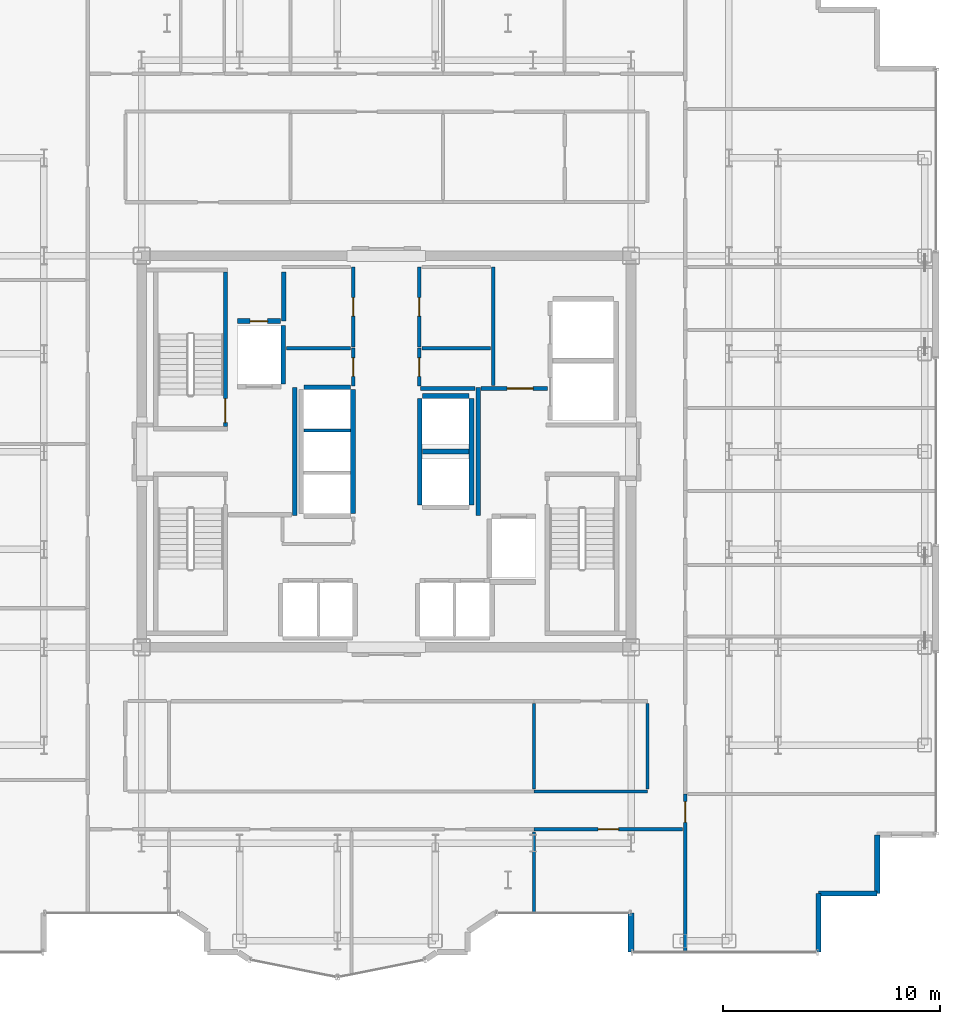
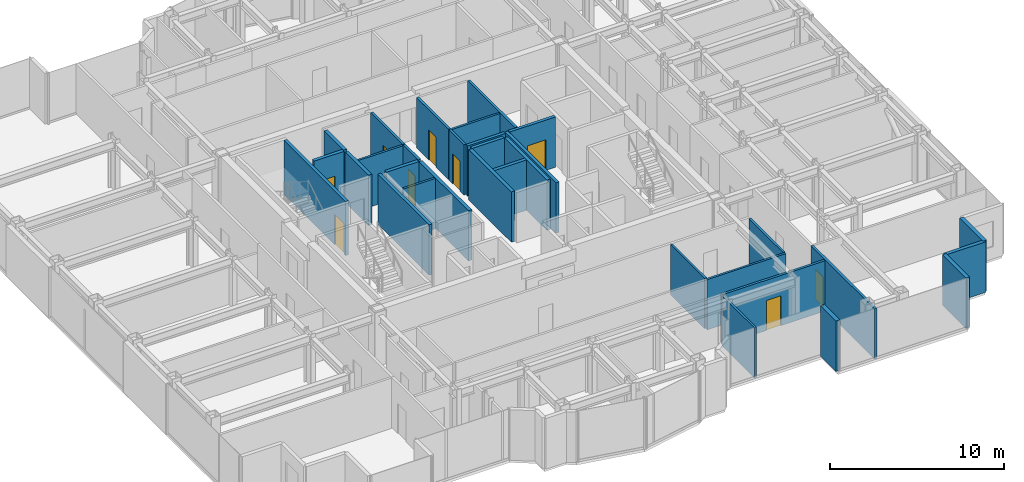
# One storey, part 17 of 21: 32 walls, 9 doors, 9 openings.
"""IFC4 building model written with IfcOpenShell, lengths in metres."""

from ifc_helpers import new_model, si_unit, direction, frame, frame_2d, origin, place, context, subcontext, project, spatial, rectangle, extrude, source, transform, mapped, material, layer, layer_set, type_object, element, fill, save


model = new_model("IFC4")

# Units and contexts
model_context = context("Model", 3, precision=1e-05, world=origin(), true_north=direction((0.0, 1.0)))
body_context = subcontext(model_context, "Body", "Model", "MODEL_VIEW")
ifc_project = project(units=[si_unit("LENGTHUNIT", "METRE"), si_unit("AREAUNIT", "SQUARE_METRE"), si_unit("VOLUMEUNIT", "CUBIC_METRE"), si_unit("PLANEANGLEUNIT", "RADIAN"), si_unit("MASSUNIT", "GRAM", prefix="KILO")], contexts=[model_context])

# Site, building, storey
site_placement = place(None, origin())
site = spatial("IfcSite", under=ifc_project, at=site_placement, CompositionType="ELEMENT")
building_placement = place(site_placement, origin())
building = spatial("IfcBuilding", under=site, at=building_placement, Name="Nefas-Gora Pilgrimage Tower", CompositionType="ELEMENT")
storey_placement = place(building_placement, frame((0.0, 0.0, 252.199951171875)))
storey = spatial("IfcBuildingStorey", under=building, at=storey_placement, Name="L63", CompositionType="ELEMENT", Elevation=252.199951171875)

# Walls
ifc_material_1 = material(Name="Precast concrete C40/50", Category="concrete")
ifc_layer_1 = layer(ifc_material_1, 0.260009765625)
ifc_layer_set_1 = layer_set([ifc_layer_1], Name="Precast concrete C40/50")
wall_type_1 = type_object("IfcWallType", Name="EW-PORTAL-260", PredefinedType="SOLIDWALL", material=ifc_layer_set_1)
shared_shape_1 = source(origin(), body_context, "Body", "SweptSolid", [
    extrude(rectangle(XDim=1.800048828125, YDim=0.260009765625, at=frame_2d((0.89990234375, 0.0))), origin(), (0.0, 0.0, 1.0), 3.550048828125),
])
wall_1_placement = place(storey_placement, frame((11.25, -21.219970703125, 0.0), z_axis=(0.0, 0.0, 1.0), x_axis=(0.0, -1.0, 0.0)))
element("IfcWall", 1, at=wall_1_placement, inside=storey, type_object=wall_type_1, Name="L63 Lobe Shoulder Precast Spandrel Pier 5", PredefinedType="SOLIDWALL", context=body_context, shape_type="MappedRepresentation", body=[
    mapped(shared_shape_1, transform((0.0, 0.0, 0.0), x_axis=(1.0, 0.0, 0.0), y_axis=(0.0, 1.0, 0.0), z_axis=(0.0, 0.0, 1.0), scale=1.0)),
])
ifc_material_2 = material(Name="Precast concrete C45/55", Category="concrete")
ifc_layer_2 = layer(ifc_material_2, 0.239990234375)
ifc_layer_set_2 = layer_set([ifc_layer_2], Name="Precast concrete C45/55")
wall_type_2 = type_object("IfcWallType", Name="EW-SERR-240", PredefinedType="SHEAR", material=ifc_layer_set_2)
shared_shape_2 = source(origin(), body_context, "Body", "SweptSolid", [
    extrude(rectangle(XDim=2.699951171875, YDim=0.239990234375, at=frame_2d((1.35009765625, 0.0))), origin(), (0.0, 0.0, 1.0), 3.550048828125),
])
for number, where, z_axis, x_axis, name in (
    (2, (19.8701171875, -23.02001953125, 0.0), (0.0, 0.0, 1.0), (0.0, 1.0, 0.0), "L63 Serrated Corner Shear Pier Wall 6"),
    (3, (19.8701171875, -20.320068359375, 0.0), (0.0, 0.0, 1.0), (1.0, 0.0, 0.0), "L63 Serrated Corner Shear Pier Wall 7"),
    (4, (22.570068359375, -20.320068359375, 0.0), (0.0, 0.0, 1.0), (0.0, 1.0, 0.0), "L63 Serrated Corner Shear Pier Wall 8"),
):
    element("IfcWall", number, at=place(storey_placement, frame(where, z_axis=z_axis, x_axis=x_axis)), inside=storey, type_object=wall_type_2, Name=name, PredefinedType="SHEAR", context=body_context, shape_type="MappedRepresentation", body=[
        mapped(shared_shape_2, transform((0.0, 0.0, 0.0), x_axis=(1.0, 0.0, 0.0), y_axis=(0.0, 1.0, 0.0), z_axis=(0.0, 0.0, 1.0), scale=1.0)),
    ])

# Wall, opening, door
ifc_material_3 = material(Name="Concrete C45/55", Category="concrete")
ifc_layer_3 = layer(ifc_material_3, 0.199951171875)
ifc_layer_set_3 = layer_set([ifc_layer_3], Name="Concrete C45/55")
wall_type_3 = type_object("IfcWallType", Name="IW-STAIR-200", PredefinedType="SOLIDWALL", material=ifc_layer_set_3)
shared_shape_3 = source(origin(), body_context, "Body", "SweptSolid", [
    extrude(rectangle(XDim=7.10009765625, YDim=0.199951171875, at=frame_2d((3.550048828125, 0.0))), origin(), (0.0, 0.0, 1.0), 3.800048828125),
])
wall_2_placement = place(storey_placement, frame((-7.39990234375, 1.14990234375, 0.0), z_axis=(0.0, 0.0, 1.0), x_axis=(0.0, 1.0, 0.0)))
wall_2 = element("IfcWall", 5, at=wall_2_placement, inside=storey, type_object=wall_type_3, Name="L63 Stairwell Shear Wall ST-01-left", PredefinedType="SOLIDWALL", context=body_context, shape_type="MappedRepresentation", body=[
    mapped(shared_shape_3, transform((0.0, 0.0, 0.0), x_axis=(1.0, 0.0, 0.0), y_axis=(0.0, 1.0, 0.0), z_axis=(0.0, 0.0, 1.0), scale=1.0)),
])
opening_1_placement = place(wall_2_placement, frame((0.179931640625, 0.0, 0.0)))
opening_1 = element("IfcOpeningElement", 6, at=opening_1_placement, cuts=wall_2, Name="Opening ID-ST1", PredefinedType="OPENING", context=body_context, shape_type="SweptSolid", body=[
    extrude(rectangle(XDim=1.10009765625, YDim=2.14990234375, at=frame_2d((0.550048828125, 1.074951171875))), frame((0.0, 0.10986328125, 0.0), z_axis=(0.0, -1.0, 0.0), x_axis=(1.0, 0.0, 0.0)), (0.0, 0.0, 1.0), 0.219970703125),
])
ifc_material_4 = material(Name="Painted galvanised steel fire stair door", Category="steel")
door_type_1 = type_object("IfcDoorType", Name="DR-INT-STAIR-1100", OperationType="NOTDEFINED", PredefinedType="DOOR", material=ifc_material_4)
shared_shape_4 = source(origin(), body_context, "Body", "SweptSolid", [
    extrude(rectangle(XDim=1.10009765625, YDim=2.14990234375, at=frame_2d((0.550048828125, 1.074951171875))), frame((0.0, 0.02490234375, 0.0), z_axis=(0.0, -1.0, 0.0), x_axis=(1.0, 0.0, 0.0)), (0.0, 0.0, 1.0), 0.050048828125),
])
door_1_placement = place(opening_1_placement, origin())
door_1 = element("IfcDoor", 7, at=door_1_placement, inside=storey, type_object=door_type_1, Name="L63 Protected Exit Stair Door ST-01", OperationType="SINGLE_SWING_LEFT", OverallHeight=2.14990234375, OverallWidth=1.10009765625, PredefinedType="DOOR", context=body_context, shape_type="MappedRepresentation", body=[
    mapped(shared_shape_4, transform((0.0, 0.0, 0.0), x_axis=(1.0, 0.0, 0.0), y_axis=(0.0, 1.0, 0.0), z_axis=(0.0, 0.0, 1.0), scale=1.0)),
])
fill(opening_1, door_1)

# Walls
ifc_material_5 = material(Name="Concrete C40/50", Category="concrete")
ifc_layer_4 = layer(ifc_material_5, 0.219970703125)
ifc_layer_set_4 = layer_set([ifc_layer_4], Name="Concrete C40/50")
wall_type_4 = type_object("IfcWallType", Name="IW-SHAFT-220", PredefinedType="SOLIDWALL", material=ifc_layer_set_4)
shared_shape_5 = source(origin(), body_context, "Body", "SweptSolid", [
    extrude(rectangle(XDim=2.679931640625, YDim=0.219970703125, at=frame_2d((1.33984375, 0.0))), origin(), (0.0, 0.0, 1.0), 3.53515625),
])
wall_3_placement = place(storey_placement, frame((-4.739990234375, 3.110107421875, 0.0), z_axis=(0.0, 0.0, 1.0), x_axis=(0.0, 1.0, 0.0)))
element("IfcWall", 8, at=wall_3_placement, inside=storey, type_object=wall_type_4, Name="L63 Hoistway Wall FFL-01-E", PredefinedType="SOLIDWALL", context=body_context, shape_type="MappedRepresentation", body=[
    mapped(shared_shape_5, transform((0.0, 0.0, 0.0), x_axis=(1.0, 0.0, 0.0), y_axis=(0.0, 1.0, 0.0), z_axis=(0.0, 0.0, 1.0), scale=1.0)),
])
shared_shape_6 = source(origin(), body_context, "Body", "SweptSolid", [
    extrude(rectangle(XDim=5.7001953125, YDim=0.219970703125, at=frame_2d((2.85009765625, 0.0))), origin(), (0.0, 0.0, 1.0), 3.53515625),
])
wall_4_placement = place(storey_placement, frame((-1.5400390625, -2.85009765625, 0.0), z_axis=(0.0, 0.0, 1.0), x_axis=(0.0, 1.0, 0.0)))
element("IfcWall", 9, at=wall_4_placement, inside=storey, type_object=wall_type_4, Name="L63 Hoistway Wall PL3-01-03-E", PredefinedType="SOLIDWALL", context=body_context, shape_type="MappedRepresentation", body=[
    mapped(shared_shape_6, transform((0.0, 0.0, 0.0), x_axis=(1.0, 0.0, 0.0), y_axis=(0.0, 1.0, 0.0), z_axis=(0.0, 0.0, 1.0), scale=1.0)),
])
shared_shape_7 = source(origin(), body_context, "Body", "SweptSolid", [
    extrude(rectangle(XDim=2.130126953125, YDim=0.219970703125, at=frame_2d((1.06494140625, 0.0))), origin(), (0.0, 0.0, 1.0), 3.53515625),
])
for number, where, z_axis, x_axis, name in (
    (10, (-1.659912109375, 2.9599609375, 0.0), (0.0, 0.0, 1.0), (-1.0, 0.0, 0.0), "L63 Hoistway Wall PL3-03-N"),
    (11, (1.659912109375, 0.0, 0.0), (0.0, 0.0, 1.0), (1.0, 0.0, 0.0), "L63 Hoistway Wall OBS-01-02-DIV"),
    (12, (3.7900390625, 2.56005859375, 0.0), (0.0, 0.0, 1.0), (-1.0, 0.0, 0.0), "L63 Hoistway Wall OBS-02-N"),
):
    element("IfcWall", number, at=place(storey_placement, frame(where, z_axis=z_axis, x_axis=x_axis)), inside=storey, type_object=wall_type_4, Name=name, PredefinedType="SOLIDWALL", context=body_context, shape_type="MappedRepresentation", body=[
        mapped(shared_shape_7, transform((0.0, 0.0, 0.0), x_axis=(1.0, 0.0, 0.0), y_axis=(0.0, 1.0, 0.0), z_axis=(0.0, 0.0, 1.0), scale=1.0)),
    ])
ifc_material_6 = material(Name="Gypsum twin-stud partition")
ifc_layer_5 = layer(ifc_material_6, 0.139892578125)
ifc_layer_set_5 = layer_set([ifc_layer_5], Name="Gypsum twin-stud partition")
wall_type_5 = type_object("IfcWallType", Name="IW-UNIT-140", PredefinedType="PARTITIONING", material=ifc_layer_set_5)
shared_shape_8 = source(origin(), body_context, "Body", "SweptSolid", [
    extrude(rectangle(XDim=2.130126953125, YDim=0.139892578125, at=frame_2d((1.06494140625, 0.0))), origin(), (0.0, 0.0, 1.0), 3.53515625),
])
wall_5_placement = place(storey_placement, frame((-3.7900390625, 0.97509765625, 0.0), z_axis=(0.0, 0.0, 1.0), x_axis=(1.0, 0.0, 0.0)))
element("IfcWall", 13, at=wall_5_placement, inside=storey, type_object=wall_type_5, Name="L63 Hoistway Wall PL3-02-03-DIV", PredefinedType="PARTITIONING", context=body_context, shape_type="MappedRepresentation", body=[
    mapped(shared_shape_8, transform((0.0, 0.0, 0.0), x_axis=(1.0, 0.0, 0.0), y_axis=(0.0, 1.0, 0.0), z_axis=(0.0, 0.0, 1.0), scale=1.0)),
])
shared_shape_9 = source(origin(), body_context, "Body", "SweptSolid", [
    extrude(rectangle(XDim=4.89990234375, YDim=0.219970703125, at=frame_2d((2.449951171875, 0.0))), origin(), (0.0, 0.0, 1.0), 3.53515625),
])
for number, where, z_axis, x_axis, name in (
    (14, (1.5400390625, 2.449951171875, 0.0), (0.0, 0.0, 1.0), (0.0, -1.0, 0.0), "L63 Hoistway Wall OBS-01-02-W"),
    (15, (3.909912109375, -2.449951171875, 0.0), (0.0, 0.0, 1.0), (0.0, 1.0, 0.0), "L63 Hoistway Wall OBS-01-02-E"),
):
    element("IfcWall", number, at=place(storey_placement, frame(where, z_axis=z_axis, x_axis=x_axis)), inside=storey, type_object=wall_type_4, Name=name, PredefinedType="SOLIDWALL", context=body_context, shape_type="MappedRepresentation", body=[
        mapped(shared_shape_9, transform((0.0, 0.0, 0.0), x_axis=(1.0, 0.0, 0.0), y_axis=(0.0, 1.0, 0.0), z_axis=(0.0, 0.0, 1.0), scale=1.0)),
    ])
ifc_material_7 = material(Name="Gypsum fire-rated shaftwall")
ifc_layer_6 = layer(ifc_material_7, 0.199951171875)
ifc_layer_set_6 = layer_set([ifc_layer_6], Name="Gypsum fire-rated shaftwall")
wall_type_6 = type_object("IfcWallType", Name="IW-FFLOB-200", PredefinedType="PARTITIONING", material=ifc_layer_set_6)
shared_shape_10 = source(origin(), body_context, "Body", "SweptSolid", [
    extrude(rectangle(XDim=5.89990234375, YDim=0.199951171875, at=frame_2d((2.949951171875, 0.0))), origin(), (0.0, 0.0, 1.0), 3.53515625),
])
for number, where, z_axis, x_axis, name in (
    (16, (-4.219970703125, -2.949951171875, 0.0), (0.0, 0.0, 1.0), (0.0, 1.0, 0.0), "L63 FF Lobby West Inner Wall Wall 5"),
    (17, (4.219970703125, -2.949951171875, 0.0), (0.0, 0.0, 1.0), (0.0, 1.0, 0.0), "L63 FF Lobby East Inner Wall Wall 10"),
):
    element("IfcWall", number, at=place(storey_placement, frame(where, z_axis=z_axis, x_axis=x_axis)), inside=storey, type_object=wall_type_6, Name=name, PredefinedType="PARTITIONING", context=body_context, shape_type="MappedRepresentation", body=[
        mapped(shared_shape_10, transform((0.0, 0.0, 0.0), x_axis=(1.0, 0.0, 0.0), y_axis=(0.0, 1.0, 0.0), z_axis=(0.0, 0.0, 1.0), scale=1.0)),
    ])

# Wall, opening, door
shared_shape_11 = source(origin(), body_context, "Body", "SweptSolid", [
    extrude(rectangle(XDim=3.039794921875, YDim=0.199951171875, at=frame_2d((1.52001953125, 0.0))), origin(), (0.0, 0.0, 1.0), 3.53515625),
])
wall_6_placement = place(storey_placement, frame((4.360107421875, 2.89990234375, 0.0), z_axis=(0.0, 0.0, 1.0), x_axis=(1.0, 0.0, 0.0)))
wall_6 = element("IfcWall", 18, at=wall_6_placement, inside=storey, type_object=wall_type_6, Name="L63 FF Lobby East North Wall Wall 12", PredefinedType="PARTITIONING", context=body_context, shape_type="MappedRepresentation", body=[
    mapped(shared_shape_11, transform((0.0, 0.0, 0.0), x_axis=(1.0, 0.0, 0.0), y_axis=(0.0, 1.0, 0.0), z_axis=(0.0, 0.0, 1.0), scale=1.0)),
])
opening_2_placement = place(wall_6_placement, frame((1.18994140625, 0.0, 0.0)))
opening_2 = element("IfcOpeningElement", 19, at=opening_2_placement, cuts=wall_6, Name="Opening ID-PL1", PredefinedType="OPENING", context=body_context, shape_type="SweptSolid", body=[
    extrude(rectangle(XDim=1.199951171875, YDim=2.14990234375, at=frame_2d((0.60009765625, 1.074951171875))), frame((0.0, 0.10986328125, 0.0), z_axis=(0.0, -1.0, 0.0), x_axis=(1.0, 0.0, 0.0)), (0.0, 0.0, 1.0), 0.219970703125),
])
ifc_material_8 = material(Name="Heavy-duty steel plant room fire door", Category="steel")
door_type_2 = type_object("IfcDoorType", Name="DR-INT-PLANT-1200", OperationType="NOTDEFINED", PredefinedType="DOOR", material=ifc_material_8)
shared_shape_12 = source(origin(), body_context, "Body", "SweptSolid", [
    extrude(rectangle(XDim=1.199951171875, YDim=2.14990234375, at=frame_2d((0.60009765625, 1.074951171875))), frame((0.0, 0.02490234375, 0.0), z_axis=(0.0, -1.0, 0.0), x_axis=(1.0, 0.0, 0.0)), (0.0, 0.0, 1.0), 0.050048828125),
])
door_2_placement = place(opening_2_placement, origin())
door_2 = element("IfcDoor", 20, at=door_2_placement, inside=storey, type_object=door_type_2, Name="L63 Service Lift Lobby Door Door 4", OperationType="SINGLE_SWING_RIGHT", OverallHeight=2.14990234375, OverallWidth=1.199951171875, PredefinedType="DOOR", context=body_context, shape_type="MappedRepresentation", body=[
    mapped(shared_shape_12, transform((0.0, 0.0, 0.0), x_axis=(1.0, 0.0, 0.0), y_axis=(0.0, 1.0, 0.0), z_axis=(0.0, 0.0, 1.0), scale=1.0)),
])
fill(opening_2, door_2)

# Walls
shared_shape_13 = source(origin(), body_context, "Body", "SweptSolid", [
    extrude(rectangle(XDim=3.150146484375, YDim=0.139892578125, at=frame_2d((1.5751953125, 0.0))), origin(), (0.0, 0.0, 1.0), 3.53515625),
])
wall_7_placement = place(storey_placement, frame((1.639892578125, 4.75, 0.0), z_axis=(0.0, 0.0, 1.0), x_axis=(1.0, 0.0, 0.0)))
element("IfcWall", 21, at=wall_7_placement, inside=storey, type_object=wall_type_5, Name="L63 Clean Blanket and Robe Store Partition Wall 23", PredefinedType="PARTITIONING", context=body_context, shape_type="MappedRepresentation", body=[
    mapped(shared_shape_13, transform((0.0, 0.0, 0.0), x_axis=(1.0, 0.0, 0.0), y_axis=(0.0, 1.0, 0.0), z_axis=(0.0, 0.0, 1.0), scale=1.0)),
])
shared_shape_14 = source(origin(), body_context, "Body", "SweptSolid", [
    extrude(rectangle(XDim=2.9501953125, YDim=0.139892578125, at=frame_2d((1.47509765625, 0.0))), origin(), (0.0, 0.0, 1.0), 3.53515625),
])
wall_8_placement = place(storey_placement, frame((-4.590087890625, 4.75, 0.0), z_axis=(0.0, 0.0, 1.0), x_axis=(1.0, 0.0, 0.0)))
element("IfcWall", 22, at=wall_8_placement, inside=storey, type_object=wall_type_5, Name="L63 Housekeeping and Linen Store Partition Wall 19", PredefinedType="PARTITIONING", context=body_context, shape_type="MappedRepresentation", body=[
    mapped(shared_shape_14, transform((0.0, 0.0, 0.0), x_axis=(1.0, 0.0, 0.0), y_axis=(0.0, 1.0, 0.0), z_axis=(0.0, 0.0, 1.0), scale=1.0)),
])

# Wall, opening, door
ifc_material_9 = material(Name="Gypsum acoustic stud partition")
ifc_layer_7 = layer(ifc_material_9, 0.159912109375)
ifc_layer_set_7 = layer_set([ifc_layer_7], Name="Gypsum acoustic stud partition")
wall_type_7 = type_object("IfcWallType", Name="IW-CORR-160", PredefinedType="PARTITIONING", material=ifc_layer_set_7)
shared_shape_15 = source(origin(), body_context, "Body", "SweptSolid", [
    extrude(rectangle(XDim=6.8251953125, YDim=0.159912109375, at=frame_2d((3.41259765625, 0.0))), origin(), (0.0, 0.0, 1.0), 3.53515625),
])
wall_9_placement = place(storey_placement, frame((6.794921875, -17.3701171875, 0.0), z_axis=(0.0, 0.0, 1.0), x_axis=(1.0, 0.0, 0.0)))
wall_9 = element("IfcWall", 23, at=wall_9_placement, inside=storey, type_object=wall_type_7, Name="L63 Pilgrim Contemplative Lounge Partition Wall 92", PredefinedType="PARTITIONING", context=body_context, shape_type="MappedRepresentation", body=[
    mapped(shared_shape_15, transform((0.0, 0.0, 0.0), x_axis=(1.0, 0.0, 0.0), y_axis=(0.0, 1.0, 0.0), z_axis=(0.0, 0.0, 1.0), scale=1.0)),
])
opening_3_placement = place(wall_9_placement, frame((2.9375, 0.0, 0.0)))
opening_3 = element("IfcOpeningElement", 24, at=opening_3_placement, cuts=wall_9, Name="Opening ID-GR1", PredefinedType="OPENING", context=body_context, shape_type="SweptSolid", body=[
    extrude(rectangle(XDim=0.949951171875, YDim=2.10009765625, at=frame_2d((0.47509765625, 1.050048828125))), frame((0.0, 0.08984375, 0.0), z_axis=(0.0, -1.0, 0.0), x_axis=(1.0, 0.0, 0.0)), (0.0, 0.0, 1.0), 0.179931640625),
])
ifc_material_10 = material(Name="Solid core oak fire-rated guest entrance door")
door_type_3 = type_object("IfcDoorType", Name="DR-INT-GUEST-950", OperationType="NOTDEFINED", PredefinedType="DOOR", material=ifc_material_10)
shared_shape_16 = source(origin(), body_context, "Body", "SweptSolid", [
    extrude(rectangle(XDim=0.949951171875, YDim=2.10009765625, at=frame_2d((0.47509765625, 1.050048828125))), frame((0.0, 0.02490234375, 0.0), z_axis=(0.0, -1.0, 0.0), x_axis=(1.0, 0.0, 0.0)), (0.0, 0.0, 1.0), 0.050048828125),
])
door_3_placement = place(opening_3_placement, origin())
door_3 = element("IfcDoor", 25, at=door_3_placement, inside=storey, type_object=door_type_3, Name="L63 Pilgrim Contemplative Lounge Door 41", OperationType="SINGLE_SWING_LEFT", OverallHeight=2.10009765625, OverallWidth=0.949951171875, PredefinedType="DOOR", context=body_context, shape_type="MappedRepresentation", body=[
    mapped(shared_shape_16, transform((0.0, 0.0, 0.0), x_axis=(1.0, 0.0, 0.0), y_axis=(0.0, 1.0, 0.0), z_axis=(0.0, 0.0, 1.0), scale=1.0)),
])
fill(opening_3, door_3)

# Wall
shared_shape_17 = source(origin(), body_context, "Body", "SweptSolid", [
    extrude(rectangle(XDim=2.25, YDim=0.219970703125, at=frame_2d((1.125, 0.0))), origin(), (0.0, 0.0, 1.0), 3.53515625),
])
wall_10_placement = place(storey_placement, frame((-4.719970703125, 6.0, 0.0), z_axis=(0.0, 0.0, 1.0), x_axis=(0.0, 1.0, 0.0)))
element("IfcWall", 26, at=wall_10_placement, inside=storey, type_object=wall_type_4, Name="L63 Riser Shaft Wall 1", PredefinedType="SOLIDWALL", context=body_context, shape_type="MappedRepresentation", body=[
    mapped(shared_shape_17, transform((0.0, 0.0, 0.0), x_axis=(1.0, 0.0, 0.0), y_axis=(0.0, 1.0, 0.0), z_axis=(0.0, 0.0, 1.0), scale=1.0)),
])

# Wall, opening, door
shared_shape_18 = source(origin(), body_context, "Body", "SweptSolid", [
    extrude(rectangle(XDim=1.97998046875, YDim=0.219970703125, at=frame_2d((0.989990234375, 0.0))), origin(), (0.0, 0.0, 1.0), 3.53515625),
])
wall_11_placement = place(storey_placement, frame((-6.85009765625, 6.0, 0.0), z_axis=(0.0, 0.0, 1.0), x_axis=(1.0, 0.0, 0.0)))
wall_11 = element("IfcWall", 27, at=wall_11_placement, inside=storey, type_object=wall_type_4, Name="L63 Riser Shaft Wall 2", PredefinedType="SOLIDWALL", context=body_context, shape_type="MappedRepresentation", body=[
    mapped(shared_shape_18, transform((0.0, 0.0, 0.0), x_axis=(1.0, 0.0, 0.0), y_axis=(0.0, 1.0, 0.0), z_axis=(0.0, 0.0, 1.0), scale=1.0)),
])
opening_4_placement = place(wall_11_placement, frame((0.590087890625, 0.0, 0.0)))
opening_4 = element("IfcOpeningElement", 28, at=opening_4_placement, cuts=wall_11, Name="Opening ID-TR1", PredefinedType="OPENING", context=body_context, shape_type="SweptSolid", body=[
    extrude(rectangle(XDim=0.800048828125, YDim=2.0, at=frame_2d((0.39990234375, 1.0))), frame((0.0, 0.119873046875, 0.0), z_axis=(0.0, -1.0, 0.0), x_axis=(1.0, 0.0, 0.0)), (0.0, 0.0, 1.0), 0.239990234375),
])
ifc_material_11 = material(Name="Riser maintenance fire access door")
door_type_4 = type_object("IfcDoorType", Name="DR-INT-TRAP-800", OperationType="NOTDEFINED", PredefinedType="TRAPDOOR", material=ifc_material_11)
shared_shape_19 = source(origin(), body_context, "Body", "SweptSolid", [
    extrude(rectangle(XDim=0.800048828125, YDim=2.0, at=frame_2d((0.39990234375, 1.0))), frame((0.0, 0.02490234375, 0.0), z_axis=(0.0, -1.0, 0.0), x_axis=(1.0, 0.0, 0.0)), (0.0, 0.0, 1.0), 0.050048828125),
])
door_4_placement = place(opening_4_placement, origin())
door_4 = element("IfcDoor", 29, at=door_4_placement, inside=storey, type_object=door_type_4, Name="L63 Riser Shaft Door 1", OperationType="SINGLE_SWING_LEFT", OverallHeight=2.0, OverallWidth=0.800048828125, PredefinedType="TRAPDOOR", context=body_context, shape_type="MappedRepresentation", body=[
    mapped(shared_shape_19, transform((0.0, 0.0, 0.0), x_axis=(1.0, 0.0, 0.0), y_axis=(0.0, 1.0, 0.0), z_axis=(0.0, 0.0, 1.0), scale=1.0)),
])
fill(opening_4, door_4)

# Walls
shared_shape_20 = source(origin(), body_context, "Body", "SweptSolid", [
    extrude(rectangle(XDim=2.52001953125, YDim=0.199951171875, at=frame_2d((1.260009765625, 0.0))), origin(), (0.0, 0.0, 1.0), 3.53515625),
])
wall_12_placement = place(storey_placement, frame((1.56005859375, 2.89990234375, 0.0), z_axis=(0.0, 0.0, 1.0), x_axis=(1.0, 0.0, 0.0)))
element("IfcWall", 30, at=wall_12_placement, inside=storey, type_object=wall_type_6, Name="L63 FF Lobby East North Wall Wall 11", PredefinedType="PARTITIONING", context=body_context, shape_type="MappedRepresentation", body=[
    mapped(shared_shape_20, transform((0.0, 0.0, 0.0), x_axis=(1.0, 0.0, 0.0), y_axis=(0.0, 1.0, 0.0), z_axis=(0.0, 0.0, 1.0), scale=1.0)),
])
shared_shape_21 = source(origin(), body_context, "Body", "SweptSolid", [
    extrude(rectangle(XDim=5.449951171875, YDim=0.159912109375, at=frame_2d((2.72509765625, 0.0))), origin(), (0.0, 0.0, 1.0), 3.53515625),
])
wall_13_placement = place(storey_placement, frame((4.919921875, 3.0400390625, 0.0), z_axis=(0.0, 0.0, 1.0), x_axis=(0.0, 1.0, 0.0)))
element("IfcWall", 31, at=wall_13_placement, inside=storey, type_object=wall_type_7, Name="L63 Service Lift Lobby West Wall Wall 17", PredefinedType="PARTITIONING", context=body_context, shape_type="MappedRepresentation", body=[
    mapped(shared_shape_21, transform((0.0, 0.0, 0.0), x_axis=(1.0, 0.0, 0.0), y_axis=(0.0, 1.0, 0.0), z_axis=(0.0, 0.0, 1.0), scale=1.0)),
])

# Wall, opening, door
shared_shape_22 = source(origin(), body_context, "Body", "SweptSolid", [
    extrude(rectangle(XDim=1.75, YDim=0.159912109375, at=frame_2d((0.875, 0.0))), origin(), (0.0, 0.0, 1.0), 3.53515625),
])
wall_14_placement = place(storey_placement, frame((-1.52001953125, 3.010009765625, 0.0), z_axis=(0.0, 0.0, 1.0), x_axis=(0.0, 1.0, 0.0)))
wall_14 = element("IfcWall", 32, at=wall_14_placement, inside=storey, type_object=wall_type_7, Name="L63 Housekeeping and Linen Store Wall 18", PredefinedType="PARTITIONING", context=body_context, shape_type="MappedRepresentation", body=[
    mapped(shared_shape_22, transform((0.0, 0.0, 0.0), x_axis=(1.0, 0.0, 0.0), y_axis=(0.0, 1.0, 0.0), z_axis=(0.0, 0.0, 1.0), scale=1.0)),
])
opening_5_placement = place(wall_14_placement, frame((0.449951171875, 0.0, 0.0)))
opening_5 = element("IfcOpeningElement", 33, at=opening_5_placement, cuts=wall_14, Name="Opening ID-BT1", PredefinedType="OPENING", context=body_context, shape_type="SweptSolid", body=[
    extrude(rectangle(XDim=0.85009765625, YDim=2.10009765625, at=frame_2d((0.425048828125, 1.050048828125))), frame((0.0, 0.08984375, 0.0), z_axis=(0.0, -1.0, 0.0), x_axis=(1.0, 0.0, 0.0)), (0.0, 0.0, 1.0), 0.179931640625),
])
ifc_material_12 = material(Name="Moisture-resistant fire-rated timber door", Category="wood")
door_type_5 = type_object("IfcDoorType", Name="DR-INT-BATH-850", OperationType="NOTDEFINED", PredefinedType="DOOR", material=ifc_material_12)
shared_shape_23 = source(origin(), body_context, "Body", "SweptSolid", [
    extrude(rectangle(XDim=0.85009765625, YDim=2.10009765625, at=frame_2d((0.425048828125, 1.050048828125))), frame((0.0, 0.02490234375, 0.0), z_axis=(0.0, -1.0, 0.0), x_axis=(1.0, 0.0, 0.0)), (0.0, 0.0, 1.0), 0.050048828125),
])
door_5_placement = place(opening_5_placement, origin())
door_5 = element("IfcDoor", 34, at=door_5_placement, inside=storey, type_object=door_type_5, Name="L63 Housekeeping and Linen Store Door 7", OperationType="SINGLE_SWING_LEFT", OverallHeight=2.10009765625, OverallWidth=0.85009765625, PredefinedType="DOOR", context=body_context, shape_type="MappedRepresentation", body=[
    mapped(shared_shape_23, transform((0.0, 0.0, 0.0), x_axis=(1.0, 0.0, 0.0), y_axis=(0.0, 1.0, 0.0), z_axis=(0.0, 0.0, 1.0), scale=1.0)),
])
fill(opening_5, door_5)

wall_15_placement = place(storey_placement, frame((1.52001953125, 3.010009765625, 0.0), z_axis=(0.0, 0.0, 1.0), x_axis=(0.0, 1.0, 0.0)))
wall_15 = element("IfcWall", 35, at=wall_15_placement, inside=storey, type_object=wall_type_7, Name="L63 Clean Blanket and Robe Store Wall 22", PredefinedType="PARTITIONING", context=body_context, shape_type="MappedRepresentation", body=[
    mapped(shared_shape_22, transform((0.0, 0.0, 0.0), x_axis=(1.0, 0.0, 0.0), y_axis=(0.0, 1.0, 0.0), z_axis=(0.0, 0.0, 1.0), scale=1.0)),
])
opening_6_placement = place(wall_15_placement, frame((0.449951171875, 0.0, 0.0)))
opening_6 = element("IfcOpeningElement", 36, at=opening_6_placement, cuts=wall_15, Name="Opening ID-BT1", PredefinedType="OPENING", context=body_context, shape_type="SweptSolid", body=[
    extrude(rectangle(XDim=0.85009765625, YDim=2.10009765625, at=frame_2d((0.425048828125, 1.050048828125))), frame((0.0, 0.08984375, 0.0), z_axis=(0.0, -1.0, 0.0), x_axis=(1.0, 0.0, 0.0)), (0.0, 0.0, 1.0), 0.179931640625),
])
door_6_placement = place(opening_6_placement, origin())
door_6 = element("IfcDoor", 37, at=door_6_placement, inside=storey, type_object=door_type_5, Name="L63 Clean Blanket and Robe Store Door 9", OperationType="SINGLE_SWING_LEFT", OverallHeight=2.10009765625, OverallWidth=0.85009765625, PredefinedType="DOOR", context=body_context, shape_type="MappedRepresentation", body=[
    mapped(shared_shape_23, transform((0.0, 0.0, 0.0), x_axis=(1.0, 0.0, 0.0), y_axis=(0.0, 1.0, 0.0), z_axis=(0.0, 0.0, 1.0), scale=1.0)),
])
fill(opening_6, door_6)

shared_shape_24 = source(origin(), body_context, "Body", "SweptSolid", [
    extrude(rectangle(XDim=3.679931640625, YDim=0.159912109375, at=frame_2d((1.83984375, 0.0))), origin(), (0.0, 0.0, 1.0), 3.53515625),
])
wall_16_placement = place(storey_placement, frame((-1.52001953125, 4.81005859375, 0.0), z_axis=(0.0, 0.0, 1.0), x_axis=(0.0, 1.0, 0.0)))
wall_16 = element("IfcWall", 38, at=wall_16_placement, inside=storey, type_object=wall_type_7, Name="L63 Archival Supply Store Wall 20", PredefinedType="PARTITIONING", context=body_context, shape_type="MappedRepresentation", body=[
    mapped(shared_shape_24, transform((0.0, 0.0, 0.0), x_axis=(1.0, 0.0, 0.0), y_axis=(0.0, 1.0, 0.0), z_axis=(0.0, 0.0, 1.0), scale=1.0)),
])
opening_7_placement = place(wall_16_placement, frame((1.4150390625, 0.0, 0.0)))
opening_7 = element("IfcOpeningElement", 39, at=opening_7_placement, cuts=wall_16, Name="Opening ID-BT1", PredefinedType="OPENING", context=body_context, shape_type="SweptSolid", body=[
    extrude(rectangle(XDim=0.85009765625, YDim=2.10009765625, at=frame_2d((0.425048828125, 1.050048828125))), frame((0.0, 0.08984375, 0.0), z_axis=(0.0, -1.0, 0.0), x_axis=(1.0, 0.0, 0.0)), (0.0, 0.0, 1.0), 0.179931640625),
])
door_7_placement = place(opening_7_placement, origin())
door_7 = element("IfcDoor", 40, at=door_7_placement, inside=storey, type_object=door_type_5, Name="L63 Archival Supply Store Door 8", OperationType="SINGLE_SWING_RIGHT", OverallHeight=2.10009765625, OverallWidth=0.85009765625, PredefinedType="DOOR", context=body_context, shape_type="MappedRepresentation", body=[
    mapped(shared_shape_23, transform((0.0, 0.0, 0.0), x_axis=(1.0, 0.0, 0.0), y_axis=(0.0, 1.0, 0.0), z_axis=(0.0, 0.0, 1.0), scale=1.0)),
])
fill(opening_7, door_7)

wall_17_placement = place(storey_placement, frame((1.52001953125, 4.81005859375, 0.0), z_axis=(0.0, 0.0, 1.0), x_axis=(0.0, 1.0, 0.0)))
wall_17 = element("IfcWall", 41, at=wall_17_placement, inside=storey, type_object=wall_type_7, Name="L63 Amenity Supply Store Wall 24", PredefinedType="PARTITIONING", context=body_context, shape_type="MappedRepresentation", body=[
    mapped(shared_shape_24, transform((0.0, 0.0, 0.0), x_axis=(1.0, 0.0, 0.0), y_axis=(0.0, 1.0, 0.0), z_axis=(0.0, 0.0, 1.0), scale=1.0)),
])
opening_8_placement = place(wall_17_placement, frame((1.4150390625, 0.0, 0.0)))
opening_8 = element("IfcOpeningElement", 42, at=opening_8_placement, cuts=wall_17, Name="Opening ID-BT1", PredefinedType="OPENING", context=body_context, shape_type="SweptSolid", body=[
    extrude(rectangle(XDim=0.85009765625, YDim=2.10009765625, at=frame_2d((0.425048828125, 1.050048828125))), frame((0.0, 0.08984375, 0.0), z_axis=(0.0, -1.0, 0.0), x_axis=(1.0, 0.0, 0.0)), (0.0, 0.0, 1.0), 0.179931640625),
])
door_8_placement = place(opening_8_placement, origin())
door_8 = element("IfcDoor", 43, at=door_8_placement, inside=storey, type_object=door_type_5, Name="L63 Amenity Supply Store Door 10", OperationType="SINGLE_SWING_RIGHT", OverallHeight=2.10009765625, OverallWidth=0.85009765625, PredefinedType="DOOR", context=body_context, shape_type="MappedRepresentation", body=[
    mapped(shared_shape_23, transform((0.0, 0.0, 0.0), x_axis=(1.0, 0.0, 0.0), y_axis=(0.0, 1.0, 0.0), z_axis=(0.0, 0.0, 1.0), scale=1.0)),
])
fill(opening_8, door_8)

shared_shape_25 = source(origin(), body_context, "Body", "SweptSolid", [
    extrude(rectangle(XDim=7.302490234375, YDim=0.159912109375, at=frame_2d((3.6513671875, 0.0))), origin(), (0.0, 0.0, 1.0), 3.53515625),
])
wall_18_placement = place(storey_placement, frame((13.739990234375, -23.0400390625, 0.0), z_axis=(0.0, 0.0, 1.0), x_axis=(0.0, 1.0, 0.0)))
wall_18 = element("IfcWall", 44, at=wall_18_placement, inside=storey, type_object=wall_type_7, Name="L63 Pilgrim Tea and Beverage Pantry Partition Wall 41", PredefinedType="PARTITIONING", context=body_context, shape_type="MappedRepresentation", body=[
    mapped(shared_shape_25, transform((0.0, 0.0, 0.0), x_axis=(1.0, 0.0, 0.0), y_axis=(0.0, 1.0, 0.0), z_axis=(0.0, 0.0, 1.0), scale=1.0)),
])
opening_9_placement = place(wall_18_placement, frame((5.9912109375, 0.0, 0.0)))
opening_9 = element("IfcOpeningElement", 45, at=opening_9_placement, cuts=wall_18, Name="Opening ID-GR1", PredefinedType="OPENING", context=body_context, shape_type="SweptSolid", body=[
    extrude(rectangle(XDim=0.949951171875, YDim=2.10009765625, at=frame_2d((0.47509765625, 1.050048828125))), frame((0.0, 0.08984375, 0.0), z_axis=(0.0, -1.0, 0.0), x_axis=(1.0, 0.0, 0.0)), (0.0, 0.0, 1.0), 0.179931640625),
])
door_9_placement = place(opening_9_placement, origin())
door_9 = element("IfcDoor", 46, at=door_9_placement, inside=storey, type_object=door_type_3, Name="L63 Pilgrim Tea and Beverage Pantry Door 18", OperationType="SINGLE_SWING_RIGHT", OverallHeight=2.10009765625, OverallWidth=0.949951171875, PredefinedType="DOOR", context=body_context, shape_type="MappedRepresentation", body=[
    mapped(shared_shape_16, transform((0.0, 0.0, 0.0), x_axis=(1.0, 0.0, 0.0), y_axis=(0.0, 1.0, 0.0), z_axis=(0.0, 0.0, 1.0), scale=1.0)),
])
fill(opening_9, door_9)

# Walls
shared_shape_26 = source(origin(), body_context, "Body", "SweptSolid", [
    extrude(rectangle(XDim=3.929931640625, YDim=0.139892578125, at=frame_2d((1.96484375, 0.0))), origin(), (0.0, 0.0, 1.0), 3.53515625),
])
for number, where, z_axis, x_axis, name in (
    (47, (6.794921875, -15.52001953125, 0.0), (0.0, 0.0, 1.0), (0.0, 1.0, 0.0), "L63 Pilgrim Contemplative Lounge Partition Wall 91"),
    (48, (12.0, -15.52001953125, 0.0), (0.0, 0.0, 1.0), (0.0, 1.0, 0.0), "L63 Pilgrim Contemplative Lounge Partition Wall 95"),
):
    element("IfcWall", number, at=place(storey_placement, frame(where, z_axis=z_axis, x_axis=x_axis)), inside=storey, type_object=wall_type_5, Name=name, PredefinedType="PARTITIONING", context=body_context, shape_type="MappedRepresentation", body=[
        mapped(shared_shape_26, transform((0.0, 0.0, 0.0), x_axis=(1.0, 0.0, 0.0), y_axis=(0.0, 1.0, 0.0), z_axis=(0.0, 0.0, 1.0), scale=1.0)),
    ])
shared_shape_27 = source(origin(), body_context, "Body", "SweptSolid", [
    extrude(rectangle(XDim=3.75, YDim=0.139892578125, at=frame_2d((1.875, 0.0))), origin(), (0.0, 0.0, 1.0), 3.53515625),
])
wall_19_placement = place(storey_placement, frame((6.794921875, -21.239990234375, 0.0), z_axis=(0.0, 0.0, 1.0), x_axis=(0.0, 1.0, 0.0)))
element("IfcWall", 49, at=wall_19_placement, inside=storey, type_object=wall_type_5, Name="L63 Pilgrim Contemplative Lounge Partition Wall 88", PredefinedType="PARTITIONING", context=body_context, shape_type="MappedRepresentation", body=[
    mapped(shared_shape_27, transform((0.0, 0.0, 0.0), x_axis=(1.0, 0.0, 0.0), y_axis=(0.0, 1.0, 0.0), z_axis=(0.0, 0.0, 1.0), scale=1.0)),
])
shared_shape_28 = source(origin(), body_context, "Body", "SweptSolid", [
    extrude(rectangle(XDim=5.215087890625, YDim=0.139892578125, at=frame_2d((2.607421875, 0.0))), origin(), (0.0, 0.0, 1.0), 3.53515625),
])
wall_20_placement = place(storey_placement, frame((6.794921875, -15.6298828125, 0.0), z_axis=(0.0, 0.0, 1.0), x_axis=(1.0, 0.0, 0.0)))
element("IfcWall", 50, at=wall_20_placement, inside=storey, type_object=wall_type_5, Name="L63 Pilgrim Contemplative Lounge Partition Wall 94", PredefinedType="PARTITIONING", context=body_context, shape_type="MappedRepresentation", body=[
    mapped(shared_shape_28, transform((0.0, 0.0, 0.0), x_axis=(1.0, 0.0, 0.0), y_axis=(0.0, 1.0, 0.0), z_axis=(0.0, 0.0, 1.0), scale=1.0)),
])

save(model, "model.ifc")
